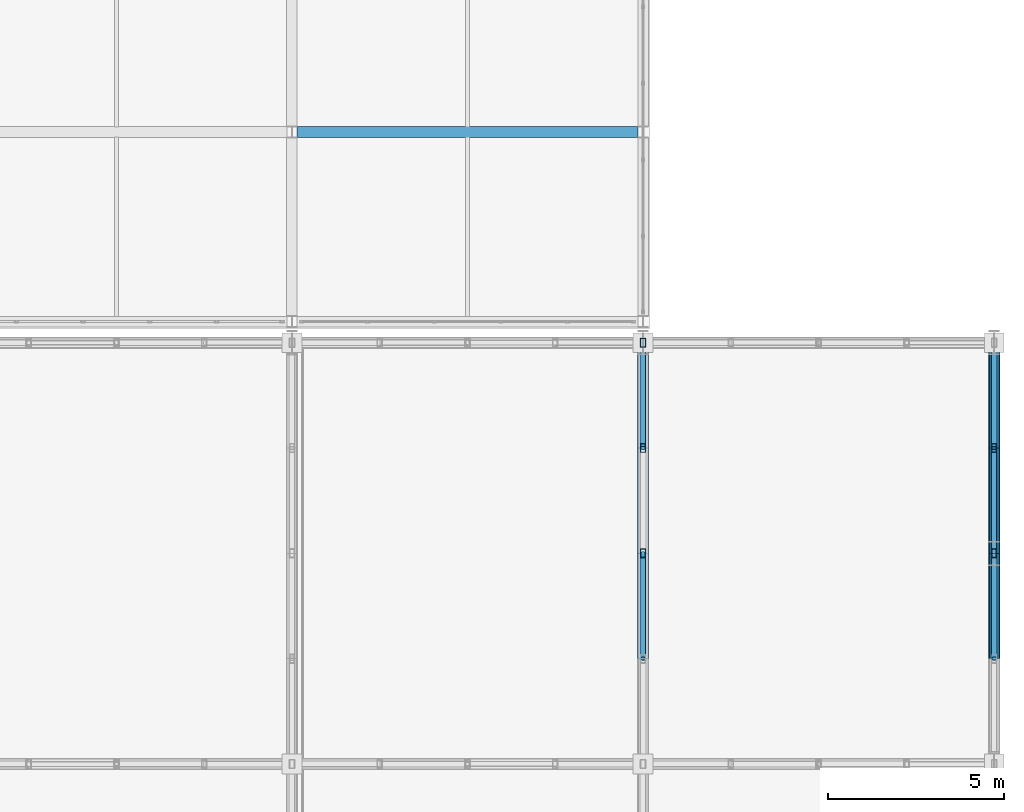
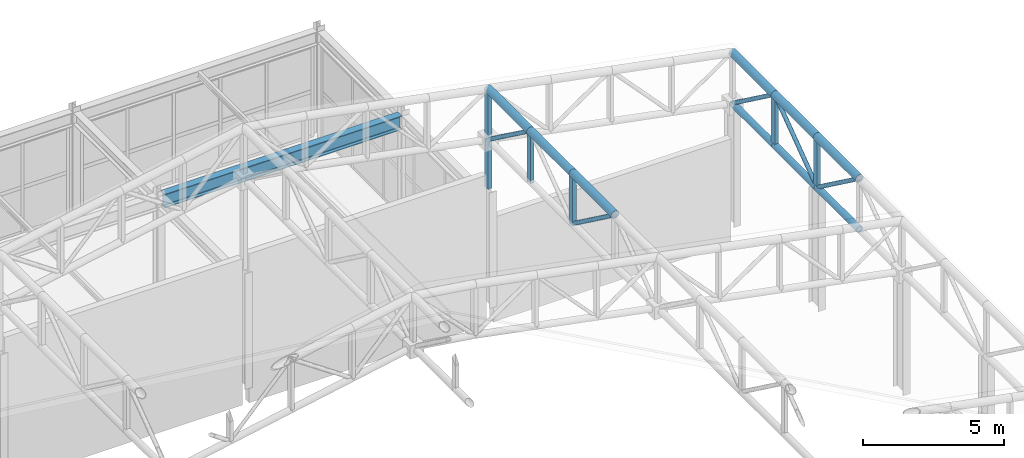
# One storey, part 76 of 112: 19 members, 1 beam.
"""IFC4 building model written with IfcOpenShell, lengths in metres."""

from ifc_helpers import new_model, si_unit, direction, frame, origin, origin_2d, place, context, subcontext, project, spatial, hollow_rectangle, hollow_circle, i_section, extrude, material, material_profile, profile_set, type_object, element, save


model = new_model("IFC4")

# Units and contexts
model_context = context("Model", 3, precision=1e-05, world=origin(), true_north=direction((0.0, 1.0)))
body_context = subcontext(model_context, "Body", "Model", "MODEL_VIEW")
ifc_project = project(units=[si_unit("LENGTHUNIT", "METRE"), si_unit("AREAUNIT", "SQUARE_METRE"), si_unit("VOLUMEUNIT", "CUBIC_METRE"), si_unit("PLANEANGLEUNIT", "RADIAN"), si_unit("MASSUNIT", "GRAM", prefix="KILO")], contexts=[model_context])

# Site, building, storey
site_placement = place(None, origin())
site = spatial("IfcSite", under=ifc_project, at=site_placement, CompositionType="ELEMENT")
building_placement = place(site_placement, origin())
building = spatial("IfcBuilding", under=site, at=building_placement, Name="Kaldris Quays Convention Centre", CompositionType="ELEMENT")
storey_placement = place(building_placement, frame((0.0, 0.0, 16.800048828125)))
storey = spatial("IfcBuildingStorey", under=building, at=storey_placement, Name="L03", CompositionType="ELEMENT", Elevation=16.800048828125)

# Beam
ifc_material_1 = material(Name="Steel S355J2", Category="steel")
ifc_material_profile_1 = material_profile(ifc_material_1, i_section(OverallWidth=0.300048828125, OverallDepth=0.590087890625, WebThickness=0.012939453125, FlangeThickness=0.02490234375, FilletRadius=0.027099609375, at=origin_2d()), Name="HEA 600")
ifc_profile_set_1 = profile_set([ifc_material_profile_1], Name="Steel S355J2")
beam_type = type_object("IfcBeamType", Name="STRUCTURAL BEAM BM08", PredefinedType="BEAM", material=ifc_profile_set_1)
beam_placement = place(storey_placement, frame((184.14404296875, 110.0, 4.286865234375), z_axis=(1.0, 0.0, 0.0), x_axis=(0.0, 1.0, 0.0)))
element("IfcBeam", 1, at=beam_placement, inside=storey, type_object=beam_type, Name="L03 Girder BM08 50", PredefinedType="BEAM", context=body_context, shape_type="SweptSolid", body=[
    extrude(i_section(OverallWidth=0.300048828125, OverallDepth=0.590087890625, WebThickness=0.012939453125, FlangeThickness=0.02490234375, FilletRadius=0.027099609375, at=origin_2d()), origin(), (0.0, 0.0, 1.0), 9.7119140625),
])

# Members
ifc_material_2 = material(Name="Steel S355J2H", Category="steel")
ifc_material_profile_2 = material_profile(ifc_material_2, hollow_circle(Radius=0.161865234375, WallThickness=0.01611328125, at=origin_2d()), Name="CHS 323.9x16")
ifc_profile_set_2 = profile_set([ifc_material_profile_2], Name="Steel S355J2H")
member_type_1 = type_object("IfcMemberType", Name="STRUCTURAL MEMBER SC03", PredefinedType="CHORD", material=ifc_profile_set_2)
for number, where, z_axis, x_axis, name in (
    (2, (194.0, 95.0, 9.25927734375), (0.0, 1.0, 0.0), (-1.0, 0.0, 0.0), "SF-V2 Top Chord Y 137"),
    (3, (194.0, 98.0, 9.25927734375), (0.0, 1.0, 0.0), (-1.0, 0.0, 0.0), "SF-V2 Top Chord Y 138"),
    (4, (194.0, 101.0, 9.25927734375), (0.0, 1.0, 0.0), (-1.0, 0.0, 0.0), "SF-V2 Top Chord Y 139"),
    (5, (204.0, 95.0, 7.33056640625), (0.0, 1.0, 0.0), (-1.0, 0.0, 0.0), "SF-V2 Top Chord Y 153"),
    (6, (204.0, 98.0, 7.33056640625), (0.0, 1.0, 0.0), (-1.0, 0.0, 0.0), "SF-V2 Top Chord Y 154"),
    (7, (204.0, 101.0, 7.33056640625), (0.0, 1.0, 0.0), (-1.0, 0.0, 0.0), "SF-V2 Top Chord Y 155"),
):
    element("IfcMember", number, at=place(storey_placement, frame(where, z_axis=z_axis, x_axis=x_axis)), inside=storey, type_object=member_type_1, Name=name, PredefinedType="CHORD", context=body_context, shape_type="SweptSolid", body=[
        extrude(hollow_circle(Radius=0.161865234375, WallThickness=0.01611328125, at=origin_2d()), origin(), (0.0, 0.0, 1.0), 3.0),
    ])
ifc_material_profile_3 = material_profile(ifc_material_2, hollow_circle(Radius=0.136474609375, WallThickness=0.012451171875, at=origin_2d()), Name="CHS 273x12.5")
ifc_profile_set_3 = profile_set([ifc_material_profile_3], Name="Steel S355J2H")
member_type_2 = type_object("IfcMemberType", Name="STRUCTURAL MEMBER SC04", PredefinedType="CHORD", material=ifc_profile_set_3)
for number, where, z_axis, x_axis, name in (
    (8, (204.0, 95.0, 5.13037109375), (0.0, 1.0, 0.0), (-1.0, 0.0, 0.0), "SF-V2 Bottom Chord Y 153"),
    (9, (204.0, 98.0, 5.13037109375), (0.0, 1.0, 0.0), (-1.0, 0.0, 0.0), "SF-V2 Bottom Chord Y 154"),
    (10, (204.0, 101.0, 5.13037109375), (0.0, 1.0, 0.0), (-1.0, 0.0, 0.0), "SF-V2 Bottom Chord Y 155"),
):
    element("IfcMember", number, at=place(storey_placement, frame(where, z_axis=z_axis, x_axis=x_axis)), inside=storey, type_object=member_type_2, Name=name, PredefinedType="CHORD", context=body_context, shape_type="SweptSolid", body=[
        extrude(hollow_circle(Radius=0.136474609375, WallThickness=0.012451171875, at=origin_2d()), origin(), (0.0, 0.0, 1.0), 3.0),
    ])
ifc_material_profile_4 = material_profile(ifc_material_2, hollow_circle(Radius=0.084228515625, WallThickness=0.008056640625, at=origin_2d()), Name="CHS 168.3x8")
ifc_profile_set_4 = profile_set([ifc_material_profile_4], Name="Steel S355J2H")
member_type_3 = type_object("IfcMemberType", Name="STRUCTURAL MEMBER SWB2", PredefinedType="BRACE", material=ifc_profile_set_4)
for number, where, z_axis, x_axis, name in (
    (11, (194.0, 98.0, 7.059326171875), (0.0, -0.80641125493, 0.591355128432), (1.0, 0.0, 0.0), "SF-V2 Web Diagonal Y 137"),
    (12, (194.0, 104.0, 7.059326171875), (0.0, -0.80641125493, 0.591355128432), (1.0, 0.0, 0.0), "SF-V2 Web Diagonal Y 139"),
    (13, (204.0, 98.0, 5.13037109375), (0.0, -0.806379959628, 0.591397802423), (1.0, 0.0, 0.0), "SF-V2 Web Diagonal Y 153"),
    (14, (204.0, 98.0, 5.13037109375), (0.0, 0.806379959628, 0.591397802423), (-1.0, 0.0, 0.0), "SF-V2 Web Diagonal Y 154"),
    (15, (204.0, 104.0, 5.13037109375), (0.0, -0.806379959628, 0.591397802423), (1.0, 0.0, 0.0), "SF-V2 Web Diagonal Y 155"),
):
    element("IfcMember", number, at=place(storey_placement, frame(where, z_axis=z_axis, x_axis=x_axis)), inside=storey, type_object=member_type_3, Name=name, PredefinedType="BRACE", context=body_context, shape_type="SweptSolid", body=[
        extrude(hollow_circle(Radius=0.084228515625, WallThickness=0.008056640625, at=origin_2d()), origin(), (0.0, 0.0, 1.0), 3.72021484375),
    ])
ifc_material_profile_5 = material_profile(ifc_material_2, hollow_rectangle(XDim=0.14990234375, YDim=0.25, WallThickness=0.010009765625, at=origin_2d()), Name="RHS 250x150x10")
ifc_profile_set_5 = profile_set([ifc_material_profile_5], Name="Steel S355J2H")
member_type_4 = type_object("IfcMemberType", Name="STRUCTURAL MEMBER TTV1", PredefinedType="POST", material=ifc_profile_set_5)
for number, where, z_axis, x_axis, name in (
    (16, (194.0, 98.0, 7.059326171875), (0.0, 0.0, 1.0), (1.0, 0.0, 0.0), "SF-V2 Space-Frame Post 106"),
    (17, (194.0, 101.0, 7.059326171875), (0.0, 0.0, 1.0), (1.0, 0.0, 0.0), "SF-V2 Space-Frame Post 107"),
):
    element("IfcMember", number, at=place(storey_placement, frame(where, z_axis=z_axis, x_axis=x_axis)), inside=storey, type_object=member_type_4, Name=name, PredefinedType="POST", context=body_context, shape_type="SweptSolid", body=[
        extrude(hollow_rectangle(XDim=0.14990234375, YDim=0.25, WallThickness=0.010009765625, at=origin_2d()), origin(), (0.0, 0.0, 1.0), 2.199951171875),
    ])
member_1_placement = place(storey_placement, frame((194.0, 104.0, 4.993896484375), z_axis=(0.0, 0.0, 1.0), x_axis=(1.0, 0.0, 0.0)))
element("IfcMember", 18, at=member_1_placement, inside=storey, type_object=member_type_4, Name="SF-V2 Space-Frame Post 108", PredefinedType="POST", context=body_context, shape_type="SweptSolid", body=[
    extrude(hollow_rectangle(XDim=0.14990234375, YDim=0.25, WallThickness=0.010009765625, at=origin_2d()), origin(), (0.0, 0.0, 1.0), 4.265380859375),
])
member_2_placement = place(storey_placement, frame((204.0, 98.0, 4.993896484375), z_axis=(0.0, 0.0, 1.0), x_axis=(1.0, 0.0, 0.0)))
element("IfcMember", 19, at=member_2_placement, inside=storey, type_object=member_type_4, Name="SF-V2 Space-Frame Post 138", PredefinedType="POST", context=body_context, shape_type="SweptSolid", body=[
    extrude(hollow_rectangle(XDim=0.14990234375, YDim=0.25, WallThickness=0.010009765625, at=origin_2d()), origin(), (0.0, 0.0, 1.0), 2.336669921875),
])
member_3_placement = place(storey_placement, frame((204.0, 101.0, 5.13037109375), z_axis=(0.0, 0.0, 1.0), x_axis=(1.0, 0.0, 0.0)))
element("IfcMember", 20, at=member_3_placement, inside=storey, type_object=member_type_4, Name="SF-V2 Space-Frame Post 139", PredefinedType="POST", context=body_context, shape_type="SweptSolid", body=[
    extrude(hollow_rectangle(XDim=0.14990234375, YDim=0.25, WallThickness=0.010009765625, at=origin_2d()), origin(), (0.0, 0.0, 1.0), 2.2001953125),
])

save(model, "model.ifc")
